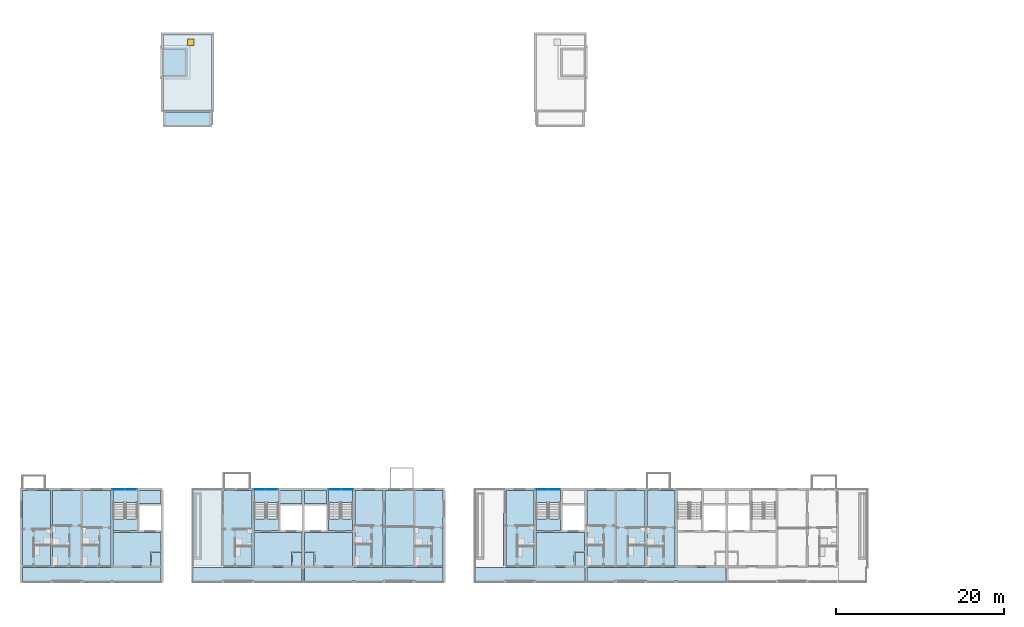
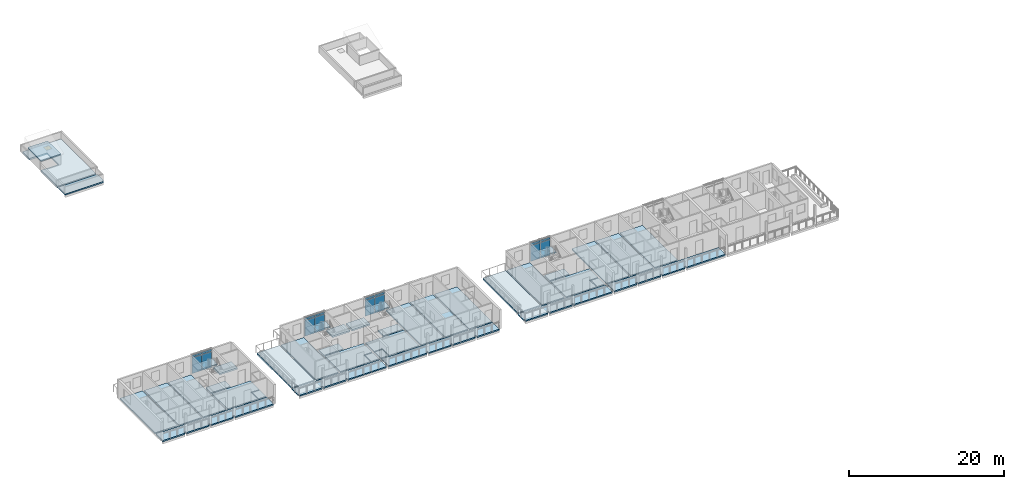
# One storey, part 19 of 64: 40 slabs, 16 plates, 1 door, 1 opening, 8 elements without a shape of their own.
"""IFC4 building model written with IfcOpenShell, lengths in metres."""

from ifc_helpers import new_model, si_unit, direction, frame, origin, origin_2d, place, context, subcontext, project, spatial, polyline, rectangle, outline, extrude, material, layer, layer_set, type_object, element, fill, aggregate, save


model = new_model("IFC4")

# Units and contexts
model_context = context("Model", 3, precision=1e-05, world=origin(), true_north=direction((0.0, 1.0)))
body_context = subcontext(model_context, "Body", "Model", "MODEL_VIEW")
ifc_project = project(units=[si_unit("LENGTHUNIT", "METRE"), si_unit("AREAUNIT", "SQUARE_METRE"), si_unit("VOLUMEUNIT", "CUBIC_METRE"), si_unit("PLANEANGLEUNIT", "RADIAN"), si_unit("MASSUNIT", "GRAM", prefix="KILO")], contexts=[model_context])

# Site, building, storey
site_placement = place(None, origin())
site = spatial("IfcSite", under=ifc_project, at=site_placement, CompositionType="ELEMENT")
building_placement = place(site_placement, origin())
building = spatial("IfcBuilding", under=site, at=building_placement, Name="Ridgestep Commons", CompositionType="ELEMENT")
storey_placement = place(building_placement, frame((0.0, 0.0, 33.0)))
storey = spatial("IfcBuildingStorey", under=building, at=storey_placement, Name="L11", CompositionType="ELEMENT", Elevation=33.0)

# Slabs
ifc_material_1 = material(Name="Precast concrete C40/50", Category="concrete")
ifc_layer_1 = layer(ifc_material_1, 0.199951171875)
ifc_layer_set_1 = layer_set([ifc_layer_1], Name="Gallery roof slab 200")
slab_type_1 = type_object("IfcSlabType", Name="Gallery roof slab 200", PredefinedType="ROOF", material=ifc_layer_set_1)
slab_1_placement = place(storey_placement, frame((0.0, 0.0, -0.199951171875)))
element("IfcSlab", 1, at=slab_1_placement, inside=storey, type_object=slab_type_1, Name="Gallery slab B2 L11", PredefinedType="ROOF", context=body_context, shape_type="SweptSolid", body=[
    extrude(outline(polyline([(28.949951171875, 66.0), (34.675048828125, 66.0), (34.675048828125, 66.25), (34.800048828125, 66.25), (34.800048828125, 67.800048828125), (28.949951171875, 67.800048828125), (28.949951171875, 66.0)])), origin(), (0.0, 0.0, 1.0), 0.199951171875),
])
ifc_material_2 = material(Name="Precast concrete C40/50", Category="concrete")
ifc_layer_2 = layer(ifc_material_2, 0.199951171875)
ifc_layer_set_2 = layer_set([ifc_layer_2], Name="Gallery slab 200")
slab_type_2 = type_object("IfcSlabType", Name="Gallery slab 200", PredefinedType="FLOOR", material=ifc_layer_set_2)
slab_2_placement = place(storey_placement, frame((0.0, 0.0, -0.199951171875)))
element("IfcSlab", 2, at=slab_2_placement, inside=storey, type_object=slab_type_2, Name="Gallery slab A1 L11", PredefinedType="FLOOR", context=body_context, shape_type="SweptSolid", body=[
    extrude(outline(polyline([(28.64990234375, 13.550048828125), (12.14990234375, 13.550048828125), (12.14990234375, 11.75), (15.47509765625, 11.75), (15.47509765625, 12.0), (15.72509765625, 12.0), (15.72509765625, 11.75), (19.074951171875, 11.75), (19.074951171875, 12.0), (19.324951171875, 12.0), (19.324951171875, 11.75), (22.675048828125, 11.75), (22.675048828125, 12.0), (22.925048828125, 12.0), (22.925048828125, 11.75), (28.64990234375, 11.75), (28.64990234375, 13.550048828125)])), origin(), (0.0, 0.0, 1.0), 0.199951171875),
])
slab_3_placement = place(storey_placement, frame((0.0, 0.0, -0.199951171875)))
element("IfcSlab", 3, at=slab_3_placement, inside=storey, type_object=slab_type_2, Name="Gallery slab A2 L11", PredefinedType="FLOOR", context=body_context, shape_type="SweptSolid", body=[
    extrude(outline(polyline([(45.449951171875, 11.75), (45.449951171875, 13.550048828125), (32.39990234375, 13.550048828125), (32.39990234375, 12.0), (32.52490234375, 12.0), (32.52490234375, 11.75), (35.875, 11.75), (35.875, 12.0), (36.125, 12.0), (36.125, 11.75), (39.47509765625, 11.75), (39.47509765625, 12.0), (39.72509765625, 12.0), (39.72509765625, 11.75), (45.449951171875, 11.75)])), origin(), (0.0, 0.0, 1.0), 0.199951171875),
])
slab_4_placement = place(storey_placement, frame((0.0, 0.0, -0.199951171875)))
element("IfcSlab", 4, at=slab_4_placement, inside=storey, type_object=slab_type_2, Name="Gallery slab A3 L11", PredefinedType="FLOOR", context=body_context, shape_type="SweptSolid", body=[
    extrude(outline(polyline([(62.25, 13.550048828125), (45.75, 13.550048828125), (45.75, 11.75), (51.47509765625, 11.75), (51.47509765625, 12.0), (51.72509765625, 12.0), (51.72509765625, 11.75), (55.074951171875, 11.75), (55.074951171875, 12.0), (55.324951171875, 12.0), (55.324951171875, 11.75), (58.675048828125, 11.75), (58.675048828125, 12.0), (58.925048828125, 12.0), (58.925048828125, 11.75), (62.25, 11.75), (62.25, 13.550048828125)])), origin(), (0.0, 0.0, 1.0), 0.199951171875),
])
slab_5_placement = place(storey_placement, frame((0.0, 0.0, -0.199951171875)))
element("IfcSlab", 5, at=slab_5_placement, inside=storey, type_object=slab_type_2, Name="Gallery slab A4 L11", PredefinedType="FLOOR", context=body_context, shape_type="SweptSolid", body=[
    extrude(outline(polyline([(79.050048828125, 11.75), (79.050048828125, 13.550048828125), (66.0, 13.550048828125), (66.0, 12.0), (66.125, 12.0), (66.125, 11.75), (69.47509765625, 11.75), (69.47509765625, 12.0), (69.72509765625, 12.0), (69.72509765625, 11.75), (73.074951171875, 11.75), (73.074951171875, 12.0), (73.324951171875, 12.0), (73.324951171875, 11.75), (79.050048828125, 11.75)])), origin(), (0.0, 0.0, 1.0), 0.199951171875),
])
slab_6_placement = place(storey_placement, frame((0.0, 0.0, -0.199951171875)))
element("IfcSlab", 6, at=slab_6_placement, inside=storey, type_object=slab_type_2, Name="Gallery slab A5 L11", PredefinedType="FLOOR", context=body_context, shape_type="SweptSolid", body=[
    extrude(outline(polyline([(95.85009765625, 13.550048828125), (79.35009765625, 13.550048828125), (79.35009765625, 11.75), (82.675048828125, 11.75), (82.675048828125, 12.0), (82.925048828125, 12.0), (82.925048828125, 11.75), (86.27490234375, 11.75), (86.27490234375, 12.0), (86.52490234375, 12.0), (86.52490234375, 11.75), (89.875, 11.75), (89.875, 12.0), (90.125, 12.0), (90.125, 11.75), (95.85009765625, 11.75), (95.85009765625, 13.550048828125)])), origin(), (0.0, 0.0, 1.0), 0.199951171875),
])

# Curtain wall, plates
ifc_material_3 = material(Name="Aluminium 6063-T6 and glass", Category="aluminium")
curtain_wall_type = type_object("IfcCurtainWallType", Name="Curtain wall stair strip", PredefinedType="NOTDEFINED", material=ifc_material_3)
curtain_wall_1_placement = place(storey_placement, origin())
curtain_wall_1 = element("IfcCurtainWall", 7, at=curtain_wall_1_placement, inside=storey, type_object=curtain_wall_type, Name="Curtain wall A1C level 11", PredefinedType="NOTDEFINED")
ifc_material_4 = material(Name="Glass laminated 6/16/6 low-emissivity", Category="glass")
ifc_layer_3 = layer(ifc_material_4, 0.028076171875)
ifc_layer_set_3 = layer_set([ifc_layer_3], Name="Glazing panel 28")
plate_type_1 = type_object("IfcPlateType", Name="Glazing panel 28", PredefinedType="CURTAIN_PANEL", material=ifc_layer_set_3)
plate_1_placement = place(storey_placement, frame((23.5712890625, 22.830078125, 0.06005859375), z_axis=(0.0, 0.0, 1.0), x_axis=(1.0, 0.0, 0.0)))
plate_1 = element("IfcPlate", 8, at=plate_1_placement, type_object=plate_type_1, Name="CW1 panel 1.1", PredefinedType="CURTAIN_PANEL", context=body_context, shape_type="SweptSolid", body=[
    extrude(rectangle(XDim=1.422607421875, YDim=0.028076171875, at=origin_2d()), origin(), (0.0, 0.0, 1.0), 2.5),
])
plate_2_placement = place(storey_placement, frame((25.0537109375, 22.830078125, 0.06005859375), z_axis=(0.0, 0.0, 1.0), x_axis=(1.0, 0.0, 0.0)))
plate_2 = element("IfcPlate", 9, at=plate_2_placement, type_object=plate_type_1, Name="CW1 panel 2.1", PredefinedType="CURTAIN_PANEL", context=body_context, shape_type="SweptSolid", body=[
    extrude(rectangle(XDim=1.422607421875, YDim=0.028076171875, at=origin_2d()), origin(), (0.0, 0.0, 1.0), 2.5),
])

curtain_wall_2_placement = place(storey_placement, origin())
curtain_wall_2 = element("IfcCurtainWall", 10, at=curtain_wall_2_placement, inside=storey, type_object=curtain_wall_type, Name="Curtain wall A2C level 11", PredefinedType="NOTDEFINED")
plate_3_placement = place(storey_placement, frame((40.371337890625, 22.830078125, 0.06005859375), z_axis=(0.0, 0.0, 1.0), x_axis=(1.0, 0.0, 0.0)))
plate_3 = element("IfcPlate", 11, at=plate_3_placement, type_object=plate_type_1, Name="CW1 panel 1.1", PredefinedType="CURTAIN_PANEL", context=body_context, shape_type="SweptSolid", body=[
    extrude(rectangle(XDim=1.422607421875, YDim=0.028076171875, at=origin_2d()), origin(), (0.0, 0.0, 1.0), 2.5),
])
plate_4_placement = place(storey_placement, frame((41.853759765625, 22.830078125, 0.06005859375), z_axis=(0.0, 0.0, 1.0), x_axis=(1.0, 0.0, 0.0)))
plate_4 = element("IfcPlate", 12, at=plate_4_placement, type_object=plate_type_1, Name="CW1 panel 2.1", PredefinedType="CURTAIN_PANEL", context=body_context, shape_type="SweptSolid", body=[
    extrude(rectangle(XDim=1.422607421875, YDim=0.028076171875, at=origin_2d()), origin(), (0.0, 0.0, 1.0), 2.5),
])

curtain_wall_3_placement = place(storey_placement, origin())
curtain_wall_3 = element("IfcCurtainWall", 13, at=curtain_wall_3_placement, inside=storey, type_object=curtain_wall_type, Name="Curtain wall A3C level 11", PredefinedType="NOTDEFINED")
plate_5_placement = place(storey_placement, frame((49.34619140625, 22.830078125, 0.06005859375), z_axis=(0.0, 0.0, 1.0), x_axis=(1.0, 0.0, 0.0)))
plate_5 = element("IfcPlate", 14, at=plate_5_placement, type_object=plate_type_1, Name="CW1 panel 1.1", PredefinedType="CURTAIN_PANEL", context=body_context, shape_type="SweptSolid", body=[
    extrude(rectangle(XDim=1.422607421875, YDim=0.028076171875, at=origin_2d()), origin(), (0.0, 0.0, 1.0), 2.5),
])
plate_6_placement = place(storey_placement, frame((50.828857421875, 22.830078125, 0.06005859375), z_axis=(0.0, 0.0, 1.0), x_axis=(1.0, 0.0, 0.0)))
plate_6 = element("IfcPlate", 15, at=plate_6_placement, type_object=plate_type_1, Name="CW1 panel 2.1", PredefinedType="CURTAIN_PANEL", context=body_context, shape_type="SweptSolid", body=[
    extrude(rectangle(XDim=1.422607421875, YDim=0.028076171875, at=origin_2d()), origin(), (0.0, 0.0, 1.0), 2.5),
])

curtain_wall_4_placement = place(storey_placement, origin())
curtain_wall_4 = element("IfcCurtainWall", 16, at=curtain_wall_4_placement, inside=storey, type_object=curtain_wall_type, Name="Curtain wall A4C level 11", PredefinedType="NOTDEFINED")
plate_7_placement = place(storey_placement, frame((73.97119140625, 22.830078125, 0.06005859375), z_axis=(0.0, 0.0, 1.0), x_axis=(1.0, 0.0, 0.0)))
plate_7 = element("IfcPlate", 17, at=plate_7_placement, type_object=plate_type_1, Name="CW1 panel 1.1", PredefinedType="CURTAIN_PANEL", context=body_context, shape_type="SweptSolid", body=[
    extrude(rectangle(XDim=1.422607421875, YDim=0.028076171875, at=origin_2d()), origin(), (0.0, 0.0, 1.0), 2.5),
])
plate_8_placement = place(storey_placement, frame((75.453857421875, 22.830078125, 0.06005859375), z_axis=(0.0, 0.0, 1.0), x_axis=(1.0, 0.0, 0.0)))
plate_8 = element("IfcPlate", 18, at=plate_8_placement, type_object=plate_type_1, Name="CW1 panel 2.1", PredefinedType="CURTAIN_PANEL", context=body_context, shape_type="SweptSolid", body=[
    extrude(rectangle(XDim=1.422607421875, YDim=0.028076171875, at=origin_2d()), origin(), (0.0, 0.0, 1.0), 2.5),
])

# Slabs
ifc_material_5 = material(Name="Precast concrete C50/60", Category="concrete")
ifc_layer_4 = layer(ifc_material_5, 0.199951171875)
ifc_layer_set_4 = layer_set([ifc_layer_4], Name="Hollow-core plank 200")
slab_type_3 = type_object("IfcSlabType", Name="Hollow-core plank 200", PredefinedType="FLOOR", material=ifc_layer_set_4)
slab_7_placement = place(storey_placement, frame((0.0, 0.0, -0.199951171875)))
element("IfcSlab", 19, at=slab_7_placement, inside=storey, type_object=slab_type_3, Name="Floor plank A1T1 L11", PredefinedType="FLOOR", context=body_context, shape_type="SweptSolid", body=[
    extrude(outline(polyline([(15.5, 13.75), (15.5, 22.75), (12.14990234375, 22.75), (12.14990234375, 13.75), (15.5, 13.75)])), origin(), (0.0, 0.0, 1.0), 0.199951171875),
])
slab_8_placement = place(storey_placement, frame((0.0, 0.0, -0.199951171875)))
element("IfcSlab", 20, at=slab_8_placement, inside=storey, type_object=slab_type_3, Name="Floor plank A1T2 L11", PredefinedType="FLOOR", context=body_context, shape_type="SweptSolid", body=[
    extrude(outline(polyline([(19.10009765625, 13.75), (19.10009765625, 22.75), (15.699951171875, 22.75), (15.699951171875, 13.75), (19.10009765625, 13.75)])), origin(), (0.0, 0.0, 1.0), 0.199951171875),
])
slab_9_placement = place(storey_placement, frame((0.0, 0.0, -0.199951171875)))
element("IfcSlab", 21, at=slab_9_placement, inside=storey, type_object=slab_type_3, Name="Floor plank A1T3 L11", PredefinedType="FLOOR", context=body_context, shape_type="SweptSolid", body=[
    extrude(outline(polyline([(22.675048828125, 13.75), (22.675048828125, 22.75), (19.300048828125, 22.75), (19.300048828125, 13.75), (22.675048828125, 13.75)])), origin(), (0.0, 0.0, 1.0), 0.199951171875),
])
slab_10_placement = place(storey_placement, frame((0.0, 0.0, -0.199951171875)))
element("IfcSlab", 22, at=slab_10_placement, inside=storey, type_object=slab_type_3, Name="Floor plank A2T3 L11", PredefinedType="FLOOR", context=body_context, shape_type="SweptSolid", body=[
    extrude(outline(polyline([(39.47509765625, 13.75), (39.47509765625, 22.75), (36.10009765625, 22.75), (36.10009765625, 13.75), (39.47509765625, 13.75)])), origin(), (0.0, 0.0, 1.0), 0.199951171875),
])
slab_11_placement = place(storey_placement, frame((0.0, 0.0, -0.199951171875)))
element("IfcSlab", 23, at=slab_11_placement, inside=storey, type_object=slab_type_3, Name="Floor plank A3T3 L11", PredefinedType="FLOOR", context=body_context, shape_type="SweptSolid", body=[
    extrude(outline(polyline([(55.10009765625, 13.75), (55.10009765625, 22.75), (51.72509765625, 22.75), (51.72509765625, 13.75), (55.10009765625, 13.75)])), origin(), (0.0, 0.0, 1.0), 0.199951171875),
])
slab_12_placement = place(storey_placement, frame((0.0, 0.0, -0.199951171875)))
element("IfcSlab", 24, at=slab_12_placement, inside=storey, type_object=slab_type_3, Name="Floor plank A3T2 L11", PredefinedType="FLOOR", context=body_context, shape_type="SweptSolid", body=[
    extrude(outline(polyline([(58.699951171875, 13.75), (58.699951171875, 22.75), (55.300048828125, 22.75), (55.300048828125, 13.75), (58.699951171875, 13.75)])), origin(), (0.0, 0.0, 1.0), 0.199951171875),
])
slab_13_placement = place(storey_placement, frame((0.0, 0.0, -0.199951171875)))
element("IfcSlab", 25, at=slab_13_placement, inside=storey, type_object=slab_type_3, Name="Floor plank A3T1 L11", PredefinedType="FLOOR", context=body_context, shape_type="SweptSolid", body=[
    extrude(outline(polyline([(62.25, 13.75), (62.25, 22.75), (58.89990234375, 22.75), (58.89990234375, 13.75), (62.25, 13.75)])), origin(), (0.0, 0.0, 1.0), 0.199951171875),
])
slab_14_placement = place(storey_placement, frame((0.0, 0.0, -0.199951171875)))
element("IfcSlab", 26, at=slab_14_placement, inside=storey, type_object=slab_type_3, Name="Floor plank A4T3 L11", PredefinedType="FLOOR", context=body_context, shape_type="SweptSolid", body=[
    extrude(outline(polyline([(73.074951171875, 13.75), (73.074951171875, 22.75), (69.699951171875, 22.75), (69.699951171875, 13.75), (73.074951171875, 13.75)])), origin(), (0.0, 0.0, 1.0), 0.199951171875),
])
slab_15_placement = place(storey_placement, frame((0.0, 0.0, -0.199951171875)))
element("IfcSlab", 27, at=slab_15_placement, inside=storey, type_object=slab_type_3, Name="Floor plank A5T1 L11", PredefinedType="FLOOR", context=body_context, shape_type="SweptSolid", body=[
    extrude(outline(polyline([(82.699951171875, 13.75), (82.699951171875, 22.75), (79.35009765625, 22.75), (79.35009765625, 13.75), (82.699951171875, 13.75)])), origin(), (0.0, 0.0, 1.0), 0.199951171875),
])
slab_16_placement = place(storey_placement, frame((0.0, 0.0, -0.199951171875)))
element("IfcSlab", 28, at=slab_16_placement, inside=storey, type_object=slab_type_3, Name="Floor plank A5T2 L11", PredefinedType="FLOOR", context=body_context, shape_type="SweptSolid", body=[
    extrude(outline(polyline([(86.300048828125, 13.75), (86.300048828125, 22.75), (82.89990234375, 22.75), (82.89990234375, 13.75), (86.300048828125, 13.75)])), origin(), (0.0, 0.0, 1.0), 0.199951171875),
])
slab_17_placement = place(storey_placement, frame((0.0, 0.0, -0.199951171875)))
element("IfcSlab", 29, at=slab_17_placement, inside=storey, type_object=slab_type_3, Name="Floor plank A5T3 L11", PredefinedType="FLOOR", context=body_context, shape_type="SweptSolid", body=[
    extrude(outline(polyline([(89.875, 13.75), (89.875, 22.75), (86.5, 22.75), (86.5, 13.75), (89.875, 13.75)])), origin(), (0.0, 0.0, 1.0), 0.199951171875),
])
ifc_material_6 = material(Name="Precast concrete C50/60", Category="concrete")
ifc_layer_5 = layer(ifc_material_6, 0.25)
ifc_layer_set_5 = layer_set([ifc_layer_5], Name="Hollow-core plank 250")
slab_type_4 = type_object("IfcSlabType", Name="Hollow-core plank 250", PredefinedType="FLOOR", material=ifc_layer_set_5)
slab_18_placement = place(storey_placement, frame((0.0, 0.0, -0.25)))
element("IfcSlab", 30, at=slab_18_placement, inside=storey, type_object=slab_type_4, Name="Floor plank A1C L11", PredefinedType="FLOOR", context=body_context, shape_type="SweptSolid", body=[
    extrude(outline(polyline([(27.52001953125, 15.469970703125), (28.64990234375, 15.469970703125), (28.64990234375, 17.75), (22.925048828125, 17.75), (22.925048828125, 13.75), (27.39990234375, 13.75), (27.39990234375, 15.469970703125), (27.52001953125, 15.469970703125)])), origin(), (0.0, 0.0, 1.0), 0.25),
])
slab_19_placement = place(storey_placement, frame((0.0, 0.0, -0.25)))
element("IfcSlab", 31, at=slab_19_placement, inside=storey, type_object=slab_type_4, Name="Floor plank A1C L11", PredefinedType="FLOOR", context=body_context, shape_type="SweptSolid", body=[
    extrude(outline(polyline([(28.64990234375, 21.14990234375), (28.64990234375, 22.75), (26.02490234375, 22.75), (26.02490234375, 21.14990234375), (28.64990234375, 21.14990234375)])), origin(), (0.0, 0.0, 1.0), 0.25),
])
slab_20_placement = place(storey_placement, frame((0.0, 0.0, -0.25)))
element("IfcSlab", 32, at=slab_20_placement, inside=storey, type_object=slab_type_4, Name="Floor plank A1C L11", PredefinedType="FLOOR", context=body_context, shape_type="SweptSolid", body=[
    extrude(outline(polyline([(25.824951171875, 17.949951171875), (25.824951171875, 19.35009765625), (22.925048828125, 19.35009765625), (22.925048828125, 17.949951171875), (25.824951171875, 17.949951171875)])), origin(), (0.0, 0.0, 1.0), 0.25),
])
slab_21_placement = place(storey_placement, frame((0.0, 0.0, -0.25)))
element("IfcSlab", 33, at=slab_21_placement, inside=storey, type_object=slab_type_4, Name="Floor plank A1C L11", PredefinedType="FLOOR", context=body_context, shape_type="SweptSolid", body=[
    extrude(outline(polyline([(27.52001953125, 13.75), (28.64990234375, 13.75), (28.64990234375, 15.35009765625), (27.52001953125, 15.35009765625), (27.52001953125, 13.75)])), origin(), (0.0, 0.0, 1.0), 0.25),
])
slab_22_placement = place(storey_placement, frame((0.0, 0.0, -0.25)))
element("IfcSlab", 34, at=slab_22_placement, inside=storey, type_object=slab_type_4, Name="Floor plank A2C L11", PredefinedType="FLOOR", context=body_context, shape_type="SweptSolid", body=[
    extrude(outline(polyline([(44.320068359375, 15.469970703125), (45.449951171875, 15.469970703125), (45.449951171875, 17.75), (39.72509765625, 17.75), (39.72509765625, 13.75), (44.199951171875, 13.75), (44.199951171875, 15.469970703125), (44.320068359375, 15.469970703125)])), origin(), (0.0, 0.0, 1.0), 0.25),
])
slab_23_placement = place(storey_placement, frame((0.0, 0.0, -0.25)))
element("IfcSlab", 35, at=slab_23_placement, inside=storey, type_object=slab_type_4, Name="Floor plank A2C L11", PredefinedType="FLOOR", context=body_context, shape_type="SweptSolid", body=[
    extrude(outline(polyline([(45.449951171875, 21.14990234375), (45.449951171875, 22.75), (42.824951171875, 22.75), (42.824951171875, 21.14990234375), (45.449951171875, 21.14990234375)])), origin(), (0.0, 0.0, 1.0), 0.25),
])
slab_24_placement = place(storey_placement, frame((0.0, 0.0, -0.25)))
element("IfcSlab", 36, at=slab_24_placement, inside=storey, type_object=slab_type_4, Name="Floor plank A2C L11", PredefinedType="FLOOR", context=body_context, shape_type="SweptSolid", body=[
    extrude(outline(polyline([(42.625, 17.949951171875), (42.625, 19.35009765625), (39.72509765625, 19.35009765625), (39.72509765625, 17.949951171875), (42.625, 17.949951171875)])), origin(), (0.0, 0.0, 1.0), 0.25),
])
slab_25_placement = place(storey_placement, frame((0.0, 0.0, -0.25)))
element("IfcSlab", 37, at=slab_25_placement, inside=storey, type_object=slab_type_4, Name="Floor plank A2C L11", PredefinedType="FLOOR", context=body_context, shape_type="SweptSolid", body=[
    extrude(outline(polyline([(44.320068359375, 13.75), (45.449951171875, 13.75), (45.449951171875, 15.35009765625), (44.320068359375, 15.35009765625), (44.320068359375, 13.75)])), origin(), (0.0, 0.0, 1.0), 0.25),
])
slab_26_placement = place(storey_placement, frame((0.0, 0.0, -0.25)))
element("IfcSlab", 38, at=slab_26_placement, inside=storey, type_object=slab_type_4, Name="Floor plank A3C L11", PredefinedType="FLOOR", context=body_context, shape_type="SweptSolid", body=[
    extrude(outline(polyline([(47.0, 13.75), (51.47509765625, 13.75), (51.47509765625, 17.75), (45.75, 17.75), (45.75, 15.469970703125), (46.8798828125, 15.469970703125), (47.0, 15.469970703125), (47.0, 13.75)])), origin(), (0.0, 0.0, 1.0), 0.25),
])
slab_27_placement = place(storey_placement, frame((0.0, 0.0, -0.25)))
element("IfcSlab", 39, at=slab_27_placement, inside=storey, type_object=slab_type_4, Name="Floor plank A3C L11", PredefinedType="FLOOR", context=body_context, shape_type="SweptSolid", body=[
    extrude(outline(polyline([(48.375, 22.75), (45.75, 22.75), (45.75, 21.14990234375), (48.375, 21.14990234375), (48.375, 22.75)])), origin(), (0.0, 0.0, 1.0), 0.25),
])
slab_28_placement = place(storey_placement, frame((0.0, 0.0, -0.25)))
element("IfcSlab", 40, at=slab_28_placement, inside=storey, type_object=slab_type_4, Name="Floor plank A3C L11", PredefinedType="FLOOR", context=body_context, shape_type="SweptSolid", body=[
    extrude(outline(polyline([(51.47509765625, 17.949951171875), (51.47509765625, 19.35009765625), (48.574951171875, 19.35009765625), (48.574951171875, 17.949951171875), (51.47509765625, 17.949951171875)])), origin(), (0.0, 0.0, 1.0), 0.25),
])
slab_29_placement = place(storey_placement, frame((0.0, 0.0, -0.25)))
element("IfcSlab", 41, at=slab_29_placement, inside=storey, type_object=slab_type_4, Name="Floor plank A3C L11", PredefinedType="FLOOR", context=body_context, shape_type="SweptSolid", body=[
    extrude(outline(polyline([(46.8798828125, 15.35009765625), (45.75, 15.35009765625), (45.75, 13.75), (46.8798828125, 13.75), (46.8798828125, 15.35009765625)])), origin(), (0.0, 0.0, 1.0), 0.25),
])
slab_30_placement = place(storey_placement, frame((0.0, 0.0, -0.25)))
element("IfcSlab", 42, at=slab_30_placement, inside=storey, type_object=slab_type_4, Name="Floor plank A4C L11", PredefinedType="FLOOR", context=body_context, shape_type="SweptSolid", body=[
    extrude(outline(polyline([(77.919921875, 15.469970703125), (79.050048828125, 15.469970703125), (79.050048828125, 17.75), (73.324951171875, 17.75), (73.324951171875, 13.75), (77.800048828125, 13.75), (77.800048828125, 15.469970703125), (77.919921875, 15.469970703125)])), origin(), (0.0, 0.0, 1.0), 0.25),
])
slab_31_placement = place(storey_placement, frame((0.0, 0.0, -0.25)))
element("IfcSlab", 43, at=slab_31_placement, inside=storey, type_object=slab_type_4, Name="Floor plank A4C L11", PredefinedType="FLOOR", context=body_context, shape_type="SweptSolid", body=[
    extrude(outline(polyline([(76.22509765625, 17.949951171875), (76.22509765625, 19.35009765625), (73.324951171875, 19.35009765625), (73.324951171875, 17.949951171875), (76.22509765625, 17.949951171875)])), origin(), (0.0, 0.0, 1.0), 0.25),
])
slab_32_placement = place(storey_placement, frame((0.0, 0.0, -0.25)))
element("IfcSlab", 44, at=slab_32_placement, inside=storey, type_object=slab_type_4, Name="Floor plank A4C L11", PredefinedType="FLOOR", context=body_context, shape_type="SweptSolid", body=[
    extrude(outline(polyline([(77.919921875, 13.75), (79.050048828125, 13.75), (79.050048828125, 15.35009765625), (77.919921875, 15.35009765625), (77.919921875, 13.75)])), origin(), (0.0, 0.0, 1.0), 0.25),
])
ifc_material_7 = material(Name="Precast concrete C50/60", Category="concrete")
ifc_layer_6 = layer(ifc_material_7, 0.199951171875)
ifc_layer_set_6 = layer_set([ifc_layer_6], Name="Overrun roof 200")
slab_type_5 = type_object("IfcSlabType", Name="Overrun roof 200", PredefinedType="ROOF", material=ifc_layer_set_6)
slab_33_placement = place(storey_placement, frame((0.0, 0.0, 1.5)))
element("IfcSlab", 45, at=slab_33_placement, inside=storey, type_object=slab_type_5, Name="Lift overrun roof B2C", PredefinedType="ROOF", context=body_context, shape_type="SweptSolid", body=[
    extrude(outline(polyline([(31.77490234375, 72.0), (31.77490234375, 75.39990234375), (28.800048828125, 75.39990234375), (28.800048828125, 72.0), (31.77490234375, 72.0)])), origin(), (0.0, 0.0, 1.0), 0.199951171875),
])
ifc_material_8 = material(Name="Precast concrete C50/60", Category="concrete")
ifc_layer_7 = layer(ifc_material_8, 0.25)
ifc_layer_set_7 = layer_set([ifc_layer_7], Name="Roof slab 250")
slab_type_6 = type_object("IfcSlabType", Name="Roof slab 250", PredefinedType="ROOF", material=ifc_layer_set_7)
slab_34_placement = place(storey_placement, frame((0.0, 0.0, -0.25)))
element("IfcSlab", 46, at=slab_34_placement, inside=storey, type_object=slab_type_6, Name="Terrace slab A2T2", PredefinedType="ROOF", context=body_context, shape_type="SweptSolid", body=[
    extrude(outline(polyline([(35.89990234375, 13.75), (35.89990234375, 22.75), (32.5, 22.75), (32.5, 13.75), (35.89990234375, 13.75)])), origin(), (0.0, 0.0, 1.0), 0.25),
])
slab_35_placement = place(storey_placement, frame((0.0, 0.0, -0.25)))
element("IfcSlab", 47, at=slab_35_placement, inside=storey, type_object=slab_type_6, Name="Terrace slab A4T2", PredefinedType="ROOF", context=body_context, shape_type="SweptSolid", body=[
    extrude(outline(polyline([(69.5, 13.75), (69.5, 22.75), (66.10009765625, 22.75), (66.10009765625, 13.75), (69.5, 13.75)])), origin(), (0.0, 0.0, 1.0), 0.25),
])

# Slab, opening, door
slab_36_placement = place(storey_placement, frame((0.0, 0.0, -0.25)))
slab_36 = element("IfcSlab", 48, at=slab_36_placement, inside=storey, type_object=slab_type_6, Name="Roof slab B2C", PredefinedType="ROOF", context=body_context, shape_type="SweptSolid", body=[
    extrude(outline(polyline([(28.949951171875, 77.0), (28.949951171875, 75.199951171875), (31.574951171875, 75.199951171875), (31.574951171875, 72.199951171875), (28.949951171875, 72.199951171875), (28.949951171875, 68.0), (34.675048828125, 68.0), (34.675048828125, 77.0), (28.949951171875, 77.0)])), origin(), (0.0, 0.0, 1.0), 0.25),
])
opening_placement = place(slab_36_placement, frame((32.175048828125, 76.10009765625, 0.0)))
opening = element("IfcOpeningElement", 49, at=opening_placement, cuts=slab_36, Name="Opening B2C/RF/1", PredefinedType="OPENING", context=body_context, shape_type="SweptSolid", body=[
    extrude(rectangle(XDim=0.800048828125, YDim=0.800048828125, at=origin_2d()), origin(), (0.0, 0.0, 1.0), 0.25),
])
ifc_material_9 = material(Name="Steel", Category="steel")
door_type = type_object("IfcDoorType", Name="Ladder roof hatch 800 x 800", OperationType="SINGLE_SWING_LEFT", PredefinedType="TRAPDOOR", material=ifc_material_9)
door_placement = place(opening_placement, frame((0.0, 0.0, 0.199951171875)))
door = element("IfcDoor", 50, at=door_placement, inside=storey, type_object=door_type, Name="Roof hatch B2C", OperationType="SINGLE_SWING_LEFT", OverallHeight=0.800048828125, OverallWidth=0.800048828125, PredefinedType="TRAPDOOR", context=body_context, shape_type="SweptSolid", body=[
    extrude(rectangle(XDim=0.800048828125, YDim=0.800048828125, at=origin_2d()), origin(), (0.0, 0.0, 1.0), 0.050048828125),
])
fill(opening, door)

# Plate
ifc_material_10 = material(Name="Aluminium 6063-T6 and mineral wool", Category="aluminium")
ifc_layer_8 = layer(ifc_material_10, 0.0400390625)
ifc_layer_set_8 = layer_set([ifc_layer_8], Name="Spandrel panel 40")
plate_type_2 = type_object("IfcPlateType", Name="Spandrel panel 40", PredefinedType="CURTAIN_PANEL", material=ifc_layer_set_8)
plate_9_placement = place(storey_placement, frame((23.5712890625, 22.830078125, 2.6201171875), z_axis=(0.0, 0.0, 1.0), x_axis=(1.0, 0.0, 0.0)))
plate_9 = element("IfcPlate", 51, at=plate_9_placement, type_object=plate_type_2, Name="CW1 panel 1.2", PredefinedType="CURTAIN_PANEL", context=body_context, shape_type="SweptSolid", body=[
    extrude(rectangle(XDim=1.422607421875, YDim=0.0400390625, at=origin_2d()), origin(), (0.0, 0.0, 1.0), 0.320068359375),
])

plate_10_placement = place(storey_placement, frame((25.0537109375, 22.830078125, 2.6201171875), z_axis=(0.0, 0.0, 1.0), x_axis=(1.0, 0.0, 0.0)))
plate_10 = element("IfcPlate", 52, at=plate_10_placement, type_object=plate_type_2, Name="CW1 panel 2.2", PredefinedType="CURTAIN_PANEL", context=body_context, shape_type="SweptSolid", body=[
    extrude(rectangle(XDim=1.422607421875, YDim=0.0400390625, at=origin_2d()), origin(), (0.0, 0.0, 1.0), 0.320068359375),
])

aggregate(curtain_wall_1, [plate_1, plate_9, plate_2, plate_10])

plate_11_placement = place(storey_placement, frame((40.371337890625, 22.830078125, 2.6201171875), z_axis=(0.0, 0.0, 1.0), x_axis=(1.0, 0.0, 0.0)))
plate_11 = element("IfcPlate", 53, at=plate_11_placement, type_object=plate_type_2, Name="CW1 panel 1.2", PredefinedType="CURTAIN_PANEL", context=body_context, shape_type="SweptSolid", body=[
    extrude(rectangle(XDim=1.422607421875, YDim=0.0400390625, at=origin_2d()), origin(), (0.0, 0.0, 1.0), 0.320068359375),
])

plate_12_placement = place(storey_placement, frame((41.853759765625, 22.830078125, 2.6201171875), z_axis=(0.0, 0.0, 1.0), x_axis=(1.0, 0.0, 0.0)))
plate_12 = element("IfcPlate", 54, at=plate_12_placement, type_object=plate_type_2, Name="CW1 panel 2.2", PredefinedType="CURTAIN_PANEL", context=body_context, shape_type="SweptSolid", body=[
    extrude(rectangle(XDim=1.422607421875, YDim=0.0400390625, at=origin_2d()), origin(), (0.0, 0.0, 1.0), 0.320068359375),
])

aggregate(curtain_wall_2, [plate_3, plate_11, plate_4, plate_12])

plate_13_placement = place(storey_placement, frame((49.34619140625, 22.830078125, 2.6201171875), z_axis=(0.0, 0.0, 1.0), x_axis=(1.0, 0.0, 0.0)))
plate_13 = element("IfcPlate", 55, at=plate_13_placement, type_object=plate_type_2, Name="CW1 panel 1.2", PredefinedType="CURTAIN_PANEL", context=body_context, shape_type="SweptSolid", body=[
    extrude(rectangle(XDim=1.422607421875, YDim=0.0400390625, at=origin_2d()), origin(), (0.0, 0.0, 1.0), 0.320068359375),
])

plate_14_placement = place(storey_placement, frame((50.828857421875, 22.830078125, 2.6201171875), z_axis=(0.0, 0.0, 1.0), x_axis=(1.0, 0.0, 0.0)))
plate_14 = element("IfcPlate", 56, at=plate_14_placement, type_object=plate_type_2, Name="CW1 panel 2.2", PredefinedType="CURTAIN_PANEL", context=body_context, shape_type="SweptSolid", body=[
    extrude(rectangle(XDim=1.422607421875, YDim=0.0400390625, at=origin_2d()), origin(), (0.0, 0.0, 1.0), 0.320068359375),
])

aggregate(curtain_wall_3, [plate_5, plate_13, plate_6, plate_14])

plate_15_placement = place(storey_placement, frame((73.97119140625, 22.830078125, 2.6201171875), z_axis=(0.0, 0.0, 1.0), x_axis=(1.0, 0.0, 0.0)))
plate_15 = element("IfcPlate", 57, at=plate_15_placement, type_object=plate_type_2, Name="CW1 panel 1.2", PredefinedType="CURTAIN_PANEL", context=body_context, shape_type="SweptSolid", body=[
    extrude(rectangle(XDim=1.422607421875, YDim=0.0400390625, at=origin_2d()), origin(), (0.0, 0.0, 1.0), 0.320068359375),
])

plate_16_placement = place(storey_placement, frame((75.453857421875, 22.830078125, 2.6201171875), z_axis=(0.0, 0.0, 1.0), x_axis=(1.0, 0.0, 0.0)))
plate_16 = element("IfcPlate", 58, at=plate_16_placement, type_object=plate_type_2, Name="CW1 panel 2.2", PredefinedType="CURTAIN_PANEL", context=body_context, shape_type="SweptSolid", body=[
    extrude(rectangle(XDim=1.422607421875, YDim=0.0400390625, at=origin_2d()), origin(), (0.0, 0.0, 1.0), 0.320068359375),
])

aggregate(curtain_wall_4, [plate_7, plate_15, plate_8, plate_16])

# Stair, slab
ifc_material_11 = material(Name="Precast concrete C40/50", Category="concrete")
stair_type = type_object("IfcStairType", Name="Escape stair 1400", PredefinedType="HALF_TURN_STAIR", material=ifc_material_11)
stair_1_placement = place(storey_placement, origin())
stair_1 = element("IfcStair", 59, at=stair_1_placement, inside=storey, type_object=stair_type, Name="L11 Escape stair A1C", PredefinedType="HALF_TURN_STAIR")
ifc_material_12 = material(Name="Precast concrete C40/50", Category="concrete")
ifc_layer_9 = layer(ifc_material_12, 0.199951171875)
ifc_layer_set_9 = layer_set([ifc_layer_9], Name="Stair landing 200")
slab_type_7 = type_object("IfcSlabType", Name="Stair landing 200", PredefinedType="LANDING", material=ifc_layer_set_9)
slab_37_placement = place(storey_placement, frame((0.0, 0.0, 1.300048828125)))
slab_37 = element("IfcSlab", 60, at=slab_37_placement, type_object=slab_type_7, Name="A1C landing 1", PredefinedType="LANDING", context=body_context, shape_type="SweptSolid", body=[
    extrude(outline(polyline([(25.824951171875, 21.31005859375), (25.824951171875, 22.75), (22.925048828125, 22.75), (22.925048828125, 21.31005859375), (25.824951171875, 21.31005859375)])), origin(), (0.0, 0.0, 1.0), 0.199951171875),
])
aggregate(stair_1, [slab_37])

stair_2_placement = place(storey_placement, origin())
stair_2 = element("IfcStair", 61, at=stair_2_placement, inside=storey, type_object=stair_type, Name="L11 Escape stair A2C", PredefinedType="HALF_TURN_STAIR")
slab_38_placement = place(storey_placement, frame((0.0, 0.0, 1.300048828125)))
slab_38 = element("IfcSlab", 62, at=slab_38_placement, type_object=slab_type_7, Name="A2C landing 1", PredefinedType="LANDING", context=body_context, shape_type="SweptSolid", body=[
    extrude(outline(polyline([(42.625, 21.31005859375), (42.625, 22.75), (39.72509765625, 22.75), (39.72509765625, 21.31005859375), (42.625, 21.31005859375)])), origin(), (0.0, 0.0, 1.0), 0.199951171875),
])
aggregate(stair_2, [slab_38])

stair_3_placement = place(storey_placement, origin())
stair_3 = element("IfcStair", 63, at=stair_3_placement, inside=storey, type_object=stair_type, Name="L11 Escape stair A3C", PredefinedType="HALF_TURN_STAIR")
slab_39_placement = place(storey_placement, frame((0.0, 0.0, 1.300048828125)))
slab_39 = element("IfcSlab", 64, at=slab_39_placement, type_object=slab_type_7, Name="A3C landing 1", PredefinedType="LANDING", context=body_context, shape_type="SweptSolid", body=[
    extrude(outline(polyline([(51.47509765625, 21.31005859375), (51.47509765625, 22.75), (48.574951171875, 22.75), (48.574951171875, 21.31005859375), (51.47509765625, 21.31005859375)])), origin(), (0.0, 0.0, 1.0), 0.199951171875),
])
aggregate(stair_3, [slab_39])

stair_4_placement = place(storey_placement, origin())
stair_4 = element("IfcStair", 65, at=stair_4_placement, inside=storey, type_object=stair_type, Name="L11 Escape stair A4C", PredefinedType="HALF_TURN_STAIR")
slab_40_placement = place(storey_placement, frame((0.0, 0.0, 1.300048828125)))
slab_40 = element("IfcSlab", 66, at=slab_40_placement, type_object=slab_type_7, Name="A4C landing 1", PredefinedType="LANDING", context=body_context, shape_type="SweptSolid", body=[
    extrude(outline(polyline([(76.22509765625, 21.31005859375), (76.22509765625, 22.75), (73.324951171875, 22.75), (73.324951171875, 21.31005859375), (76.22509765625, 21.31005859375)])), origin(), (0.0, 0.0, 1.0), 0.199951171875),
])
aggregate(stair_4, [slab_40])

save(model, "model.ifc")
